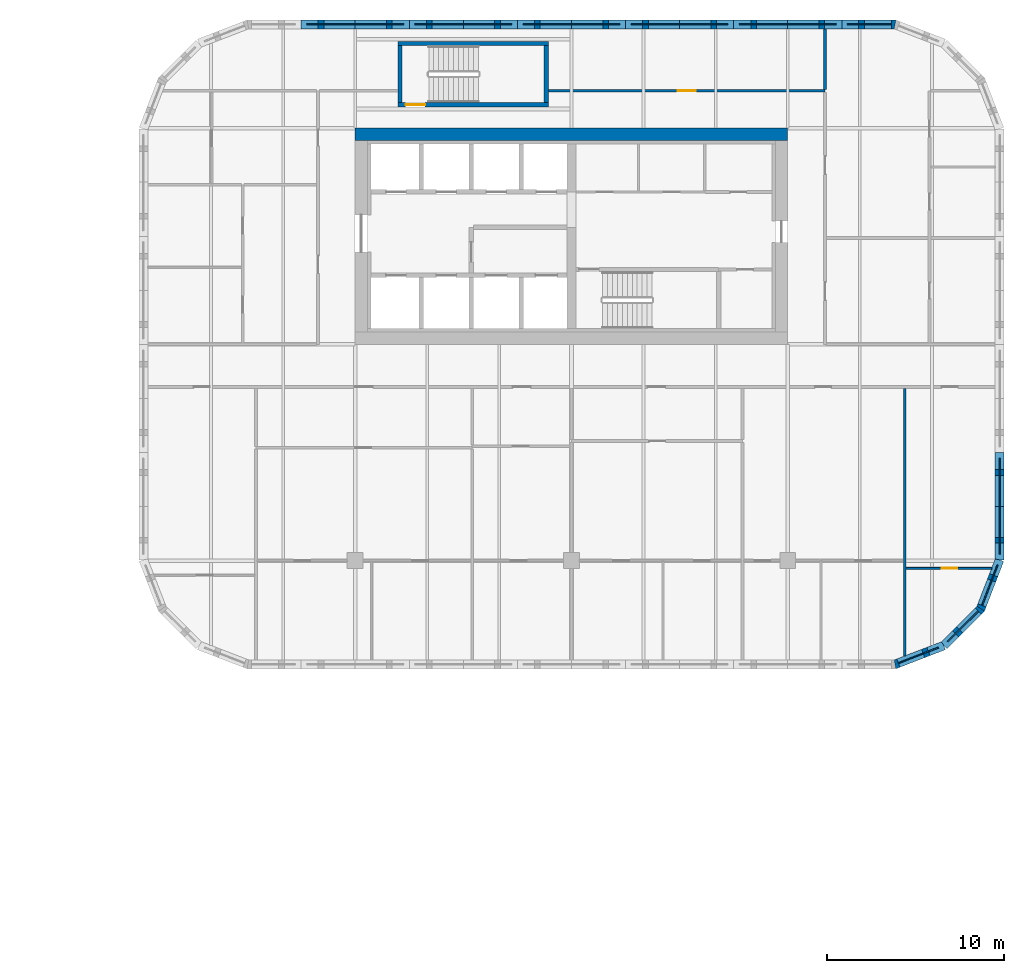
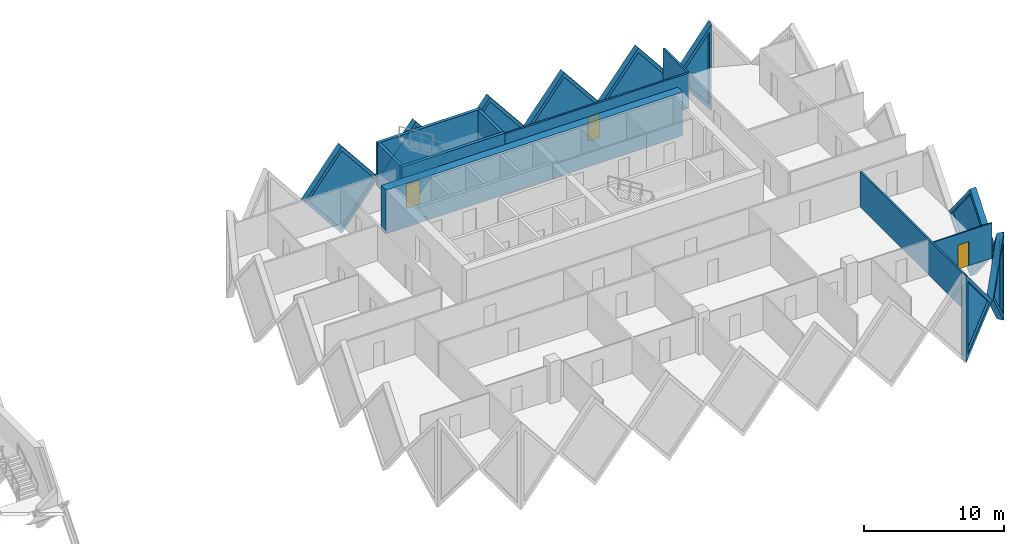
# One storey, part 15 of 19: 19 walls, 10 plates, 3 doors, 13 openings.
"""IFC4 building model written with IfcOpenShell, lengths in metres."""

import ifcopenshell
import ifcopenshell.guid

model = None  # the IFC model being written
_history = None  # IfcOwnerHistory: only IFC2X3 demands one
_inside = {}  # id of a spatial element -> (the spatial element, [elements in it])
_under = {}  # id of a project, library or spatial element -> (it, [spatial elements below it])
_declared = {}  # id of a project -> (the project, [libraries it declares])
_typed = {}  # id of a type object -> (the type object, [elements of that type])
_made_of = {}  # id of a material, layer set ... -> (it, [elements and type objects made of it])


def new_model(schema):
    """Start an empty IFC model of exactly this schema.

    Asked for "IFC4X3", IfcOpenShell would pick the latest addendum, in which some entities
    have other attributes; the version numbers below select the first issue.
    IFC2X3 requires an IfcOwnerHistory on every rooted entity: one is made here for all.
    """
    global model, _history
    if schema == "IFC4X3":
        model = ifcopenshell.file(schema_version=(4, 3, 0, 0))
    else:
        model = ifcopenshell.file(schema=schema)
    _inside.clear()
    _under.clear()
    _declared.clear()
    _typed.clear()
    _made_of.clear()
    _history = None
    if model.schema == "IFC2X3":
        org = make("IfcOrganization", Name="unknown")
        user = make(
            "IfcPersonAndOrganization",
            ThePerson=make("IfcPerson", FamilyName="unknown"),
            TheOrganization=org,
        )
        app = make(
            "IfcApplication",
            ApplicationDeveloper=org,
            Version="unknown",
            ApplicationFullName="unknown",
            ApplicationIdentifier="unknown",
        )
        _history = make(
            "IfcOwnerHistory",
            OwningUser=user,
            OwningApplication=app,
            ChangeAction="ADDED",
            CreationDate=0,
        )
    return model


def make(cls, **values):
    """One entity of the class cls with the attributes given. An attribute that is None is left unset."""
    return model.create_entity(
        cls, **{name: value for name, value in values.items() if value is not None}
    )


def rooted(cls, **values):
    """An entity with a GlobalId (a new one), such as an element, a storey or a relation."""
    return make(cls, GlobalId=ifcopenshell.guid.new(), OwnerHistory=_history, **values)


def si_unit(unit_type, name, prefix=None):
    """IfcSIUnit, for example si_unit("LENGTHUNIT", "METRE", prefix="MILLI")."""
    return make("IfcSIUnit", UnitType=unit_type, Prefix=prefix, Name=name)


def assignment(units):
    """IfcUnitAssignment: the units of a project."""
    return None if units is None else make("IfcUnitAssignment", Units=units)


def point(xyz):
    """IfcCartesianPoint."""
    return None if xyz is None else make("IfcCartesianPoint", Coordinates=xyz)


def direction(xyz):
    """IfcDirection."""
    return None if xyz is None else make("IfcDirection", DirectionRatios=xyz)


def frame(location, z_axis=None, x_axis=None):
    """IfcAxis2Placement3D, a coordinate frame: its origin and axes. An axis left out is left unset."""
    return make(
        "IfcAxis2Placement3D",
        Location=point(location),
        Axis=direction(z_axis),
        RefDirection=direction(x_axis),
    )


def frame_2d(location, x_axis=None):
    """IfcAxis2Placement2D, a coordinate frame in the plane: its origin and x axis."""
    return make(
        "IfcAxis2Placement2D", Location=point(location), RefDirection=direction(x_axis)
    )


def origin():
    """The frame at (0, 0, 0) with its axes left unset."""
    return frame((0.0, 0.0, 0.0))


def place(relative_to, where):
    """IfcLocalPlacement: puts the frame where relative to a parent placement (None: the world)."""
    return make(
        "IfcLocalPlacement", PlacementRelTo=relative_to, RelativePlacement=where
    )


def context(
    kind, dimensions, precision=None, world=None, true_north=None, identifier=None
):
    """IfcGeometricRepresentationContext, for example the 3D "Model" context."""
    return make(
        "IfcGeometricRepresentationContext",
        ContextIdentifier=identifier,
        ContextType=kind,
        CoordinateSpaceDimension=dimensions,
        Precision=precision,
        WorldCoordinateSystem=world,
        TrueNorth=true_north,
    )


def subcontext(parent, identifier, kind, view, scale=None):
    """IfcGeometricRepresentationSubContext, for example "Body" below "Model"."""
    return make(
        "IfcGeometricRepresentationSubContext",
        ContextIdentifier=identifier,
        ContextType=kind,
        ParentContext=parent,
        TargetScale=scale,
        TargetView=view,
    )


def project(units=None, contexts=None):
    """IfcProject with its units and contexts."""
    return rooted(
        "IfcProject",
        Name="project",
        RepresentationContexts=contexts,
        UnitsInContext=assignment(units),
    )


def spatial(cls, under=None, at=None, **own):
    """A site, building, storey or space (cls), placed at a placement, below another one or the project."""
    s = rooted(cls, ObjectPlacement=at, **own)
    if under is not None:
        _under.setdefault(under.id(), (under, []))[1].append(s)
    return s


def polyline(points):
    """IfcPolyline through the points."""
    return make("IfcPolyline", Points=[point(p) for p in points])


def profile(cls, at=None, kind="AREA", **sizes):
    """A parametric profile (cls). Its sizes go by their IFC names, for example OverallWidth=200.0."""
    return make(cls, ProfileType=kind, Position=at, **sizes)


def rectangle(**sizes):
    """IfcRectangleProfileDef."""
    return profile("IfcRectangleProfileDef", **sizes)


def outline(outer, holes=None, kind="AREA"):
    """IfcArbitraryClosedProfileDef: a profile drawn as a closed curve; with holes, ...WithVoids."""
    if holes is None:
        return make("IfcArbitraryClosedProfileDef", ProfileType=kind, OuterCurve=outer)
    return make(
        "IfcArbitraryProfileDefWithVoids",
        ProfileType=kind,
        OuterCurve=outer,
        InnerCurves=holes,
    )


def extrude(swept, where, along, depth):
    """IfcExtrudedAreaSolid: the profile swept, set in the frame where, extruded along a direction by depth."""
    return make(
        "IfcExtrudedAreaSolid",
        SweptArea=swept,
        Position=where,
        ExtrudedDirection=direction(along),
        Depth=depth,
    )


def faces_of(points, faces, orient=None, outer=None):
    """IfcFace entities. A face is a list of loops; a loop is a list of indices into points, from 0.

    orient and outer hold one flag for each loop. By default every Orientation is true, the
    first loop of a face is its IfcFaceOuterBound and the others are IfcFaceBound.
    """
    made = []
    for i, loops in enumerate(faces):
        bounds = []
        for j, loop in enumerate(loops):
            is_outer = j == 0 if outer is None else outer[i][j]
            bounds.append(
                make(
                    "IfcFaceOuterBound" if is_outer else "IfcFaceBound",
                    Bound=make("IfcPolyLoop", Polygon=[points[k] for k in loop]),
                    Orientation=True if orient is None else orient[i][j],
                )
            )
        made.append(make("IfcFace", Bounds=bounds))
    return made


def faceted_brep(points, faces, orient=None, outer=None, voids=None):
    """IfcFacetedBrep: a solid bounded by flat faces; with voids (closed shells), ...WithVoids."""
    shared = [point(p) for p in points]
    hull = make("IfcClosedShell", CfsFaces=faces_of(shared, faces, orient, outer))
    if voids is None:
        return make("IfcFacetedBrep", Outer=hull)
    return make(
        "IfcFacetedBrepWithVoids",
        Outer=hull,
        Voids=[
            make(cls, CfsFaces=faces_of(shared, fs, o, b)) for cls, fs, o, b in voids
        ],
    )


def shape(context_of_items, identifier, shape_type, items):
    """IfcShapeRepresentation: the items that make up one representation, for example the "Body"."""
    return make(
        "IfcShapeRepresentation",
        ContextOfItems=context_of_items,
        RepresentationIdentifier=identifier,
        RepresentationType=shape_type,
        Items=items,
    )


def source(mapping_origin, context_of_items, identifier, shape_type, items):
    """IfcRepresentationMap: a shape defined once, which mapped items show again and again."""
    return make(
        "IfcRepresentationMap",
        MappingOrigin=mapping_origin,
        MappedRepresentation=shape(context_of_items, identifier, shape_type, items),
    )


def transform(
    local_origin,
    x_axis=None,
    y_axis=None,
    z_axis=None,
    scale=None,
    scale2=None,
    scale3=None,
    uniform=True,
):
    """IfcCartesianTransformationOperator3D, or its non-uniform kind. x_axis, y_axis, z_axis: its Axis1, 2, 3."""
    if uniform:
        return make(
            "IfcCartesianTransformationOperator3D",
            Axis1=direction(x_axis),
            Axis2=direction(y_axis),
            LocalOrigin=point(local_origin),
            Scale=scale,
            Axis3=direction(z_axis),
        )
    return make(
        "IfcCartesianTransformationOperator3DnonUniform",
        Axis1=direction(x_axis),
        Axis2=direction(y_axis),
        LocalOrigin=point(local_origin),
        Scale=scale,
        Axis3=direction(z_axis),
        Scale2=scale2,
        Scale3=scale3,
    )


def mapped(mapping_source, mapping_target):
    """IfcMappedItem: shows the shape of a source again, moved by a transform."""
    return make(
        "IfcMappedItem", MappingSource=mapping_source, MappingTarget=mapping_target
    )


def material(Name=None, Category=None):
    """IfcMaterial."""
    return make("IfcMaterial", Name=Name, Category=Category)


def layer(
    of_material, thickness, ventilated=None, Name=None, Category=None, Priority=None
):
    """IfcMaterialLayer: one layer of a wall or slab, of a material (None: an air gap)."""
    return make(
        "IfcMaterialLayer",
        Material=of_material,
        LayerThickness=thickness,
        IsVentilated=ventilated,
        Name=Name,
        Category=Category,
        Priority=Priority,
    )


def layer_set(layers, Name=None):
    """IfcMaterialLayerSet."""
    return make("IfcMaterialLayerSet", MaterialLayers=layers, LayerSetName=Name)


def made_of(thing, what):
    """Note that an element or type object is made of a material, layer set ...; save() writes the relation."""
    if what is not None:
        _made_of.setdefault(what.id(), (what, []))[1].append(thing)
    return thing


def type_object(cls, material=None, **own):
    """A type object (cls), such as IfcWallType, which elements share."""
    return made_of(rooted(cls, **own), material)


def element(
    cls,
    number,
    at=None,
    inside=None,
    cuts=None,
    type_object=None,
    material=None,
    context=None,
    identifier="Body",
    shape_type=None,
    held_by="IfcProductDefinitionShape",
    body=None,
    shapes=None,
    **own,
):
    """One element of the class cls, such as IfcWall. Its Tag is "e" and its number.

    at: its placement. inside: the storey or other place that contains it. cuts: it is an
    opening in that element (IfcRelVoidsElement). A single representation is given by context,
    identifier, shape_type and body (its items); several are given by shapes. held_by: the class
    of the entity that holds the representations. save() writes the other relations.
    """
    e = rooted(cls, Tag="e%d" % number, ObjectPlacement=at, **own)
    if body is not None:
        shapes = [shape(context, identifier, shape_type, body)]
    if shapes is not None:
        e.Representation = make(held_by, Representations=shapes)
    if inside is not None:
        _inside.setdefault(inside.id(), (inside, []))[1].append(e)
    if cuts is not None:
        rooted(
            "IfcRelVoidsElement", RelatingBuildingElement=cuts, RelatedOpeningElement=e
        )
    if type_object is not None:
        _typed.setdefault(type_object.id(), (type_object, []))[1].append(e)
    return made_of(e, material)


def fill(opening, filler):
    """IfcRelFillsElement: the door or window that sits in an opening."""
    return rooted(
        "IfcRelFillsElement",
        RelatingOpeningElement=opening,
        RelatedBuildingElement=filler,
    )


def aggregate(whole, parts):
    """IfcRelAggregates: a whole, such as a stair, and the parts it consists of."""
    return rooted("IfcRelAggregates", RelatingObject=whole, RelatedObjects=parts)


def save(model, path):
    """Write the relations noted so far, then the file.

    IfcRelAggregates (storeys below a building ...), IfcRelContainedInSpatialStructure (elements
    in a storey), IfcRelDefinesByType, IfcRelAssociatesMaterial and IfcRelDeclares: one each for
    every whole, place, type object, material and project.
    """
    for whole, parts in _under.values():
        aggregate(whole, parts)
    for where, things in _inside.values():
        rooted(
            "IfcRelContainedInSpatialStructure",
            RelatedElements=things,
            RelatingStructure=where,
        )
    for kind, things in _typed.values():
        rooted("IfcRelDefinesByType", RelatedObjects=things, RelatingType=kind)
    for what, things in _made_of.values():
        rooted("IfcRelAssociatesMaterial", RelatedObjects=things, RelatingMaterial=what)
    for by, libraries in _declared.values():
        rooted("IfcRelDeclares", RelatingContext=by, RelatedDefinitions=libraries)
    model.write(path)


model = new_model("IFC4")

# Units and contexts
model_context = context("Model", 3, precision=1e-05, world=origin(), true_north=direction((0.0, 1.0)))
body_context = subcontext(model_context, "Body", "Model", "MODEL_VIEW")
ifc_project = project(units=[si_unit("LENGTHUNIT", "METRE"), si_unit("AREAUNIT", "SQUARE_METRE"), si_unit("VOLUMEUNIT", "CUBIC_METRE"), si_unit("PLANEANGLEUNIT", "RADIAN"), si_unit("MASSUNIT", "GRAM", prefix="KILO")], contexts=[model_context])

# Site, building, storey
site_placement = place(None, origin())
site = spatial("IfcSite", under=ifc_project, at=site_placement, CompositionType="ELEMENT")
building_placement = place(site_placement, origin())
building = spatial("IfcBuilding", under=site, at=building_placement, Name="Tessera Gate Towers", CompositionType="ELEMENT")
storey_placement = place(building_placement, frame((0.0, 0.0, 33.39990234375)))
storey = spatial("IfcBuildingStorey", under=building, at=storey_placement, Name="L07", CompositionType="ELEMENT", Elevation=33.39990234375)

# Wall, opening, door
ifc_material_1 = material(Name="Concrete C40/50", Category="concrete")
ifc_layer_1 = layer(ifc_material_1, 0.25)
ifc_layer_set_1 = layer_set([ifc_layer_1], Name="CORE ENCLOSURE WALL 250")
wall_type_1 = type_object("IfcWallType", Name="CORE ENCLOSURE WALL 250", PredefinedType="SOLIDWALL", material=ifc_layer_set_1)
wall_1_placement = place(storey_placement, frame((108.5, 50.125, 0.0), z_axis=(0.0, 0.0, 1.0), x_axis=(-1.0, 0.0, 0.0)))
wall_1 = element("IfcWall", 1, at=wall_1_placement, inside=storey, type_object=wall_type_1, Name="L07 ST7 enclosure wall", PredefinedType="SOLIDWALL", context=body_context, shape_type="SweptSolid", body=[
    extrude(rectangle(XDim=8.5, YDim=0.25, at=frame_2d((4.25, 0.0))), origin(), (0.0, 0.0, 1.0), 3.800048828125),
])
shared_shape_1 = source(origin(), body_context, "Body", "SweptSolid", [
    extrude(rectangle(XDim=1.10009765625, YDim=2.10009765625, at=frame_2d((0.550048828125, 1.050048828125))), frame((0.0, 0.135009765625, 0.0), z_axis=(0.0, -1.0, 0.0), x_axis=(1.0, 0.0, 0.0)), (0.0, 0.0, 1.0), 0.27001953125),
])
opening_1_placement = place(wall_1_placement, frame((6.949951171875, 0.0, 0.0)))
opening_1 = element("IfcOpeningElement", 2, at=opening_1_placement, cuts=wall_1, Name="Opening SD-ST7-1", PredefinedType="OPENING", context=body_context, shape_type="MappedRepresentation", body=[
    mapped(shared_shape_1, transform((0.0, 0.0, 0.0), scale=1.0)),
])
ifc_material_2 = material(Name="Hollow steel fire door", Category="steel")
door_type_1 = type_object("IfcDoorType", Name="CORE DOOR SD1100 1100x2100", OperationType="NOTDEFINED", PredefinedType="DOOR", material=ifc_material_2)
shared_shape_2 = source(origin(), body_context, "Body", "SweptSolid", [
    extrude(rectangle(XDim=1.10009765625, YDim=2.10009765625, at=frame_2d((0.550048828125, 1.050048828125))), frame((0.0, 0.02490234375, 0.0), z_axis=(0.0, -1.0, 0.0), x_axis=(1.0, 0.0, 0.0)), (0.0, 0.0, 1.0), 0.050048828125),
])
door_1_placement = place(opening_1_placement, origin())
door_1 = element("IfcDoor", 3, at=door_1_placement, inside=storey, type_object=door_type_1, Name="Stair door", OperationType="SINGLE_SWING_RIGHT", OverallHeight=2.10009765625, OverallWidth=1.10009765625, PredefinedType="DOOR", context=body_context, shape_type="MappedRepresentation", body=[
    mapped(shared_shape_2, transform((0.0, 0.0, 0.0), scale=1.0)),
])
fill(opening_1, door_1)

# Walls
wall_2_placement = place(storey_placement, frame((100.125, 50.25, 0.0), z_axis=(0.0, 0.0, 1.0), x_axis=(0.0, 1.0, 0.0)))
element("IfcWall", 4, at=wall_2_placement, inside=storey, type_object=wall_type_1, Name="L07 ST7 enclosure wall", PredefinedType="SOLIDWALL", context=body_context, shape_type="SweptSolid", body=[
    extrude(rectangle(XDim=3.199951171875, YDim=0.25, at=frame_2d((1.60009765625, 0.0))), origin(), (0.0, 0.0, 1.0), 3.800048828125),
])
wall_3_placement = place(storey_placement, frame((100.0, 53.574951171875, 0.0), z_axis=(0.0, 0.0, 1.0), x_axis=(1.0, 0.0, 0.0)))
element("IfcWall", 5, at=wall_3_placement, inside=storey, type_object=wall_type_1, Name="L07 ST7 enclosure wall", PredefinedType="SOLIDWALL", context=body_context, shape_type="SweptSolid", body=[
    extrude(rectangle(XDim=8.5, YDim=0.25, at=frame_2d((4.25, 0.0))), origin(), (0.0, 0.0, 1.0), 3.800048828125),
])
wall_4_placement = place(storey_placement, frame((108.375, 53.449951171875, 0.0), z_axis=(0.0, 0.0, 1.0), x_axis=(0.0, -1.0, 0.0)))
element("IfcWall", 6, at=wall_4_placement, inside=storey, type_object=wall_type_1, Name="L07 ST7 enclosure wall", PredefinedType="SOLIDWALL", context=body_context, shape_type="SweptSolid", body=[
    extrude(rectangle(XDim=3.199951171875, YDim=0.25, at=frame_2d((1.60009765625, 0.0))), origin(), (0.0, 0.0, 1.0), 3.800048828125),
])
ifc_material_3 = material(Name="Concrete C60/75", Category="concrete")
ifc_layer_2 = layer(ifc_material_3, 0.699951171875)
ifc_layer_set_2 = layer_set([ifc_layer_2], Name="CORE SHEAR WALL 700 C60/75")
wall_type_2 = type_object("IfcWallType", Name="CORE SHEAR WALL 700 C60/75", PredefinedType="SHEAR", material=ifc_layer_set_2)
wall_5_placement = place(storey_placement, frame((97.60009765625, 48.449951171875, 0.0), z_axis=(0.0, 0.0, 1.0), x_axis=(1.0, 0.0, 0.0)))
element("IfcWall", 7, at=wall_5_placement, inside=storey, type_object=wall_type_2, Name="Core wall N L07", PredefinedType="SHEAR", context=body_context, shape_type="SweptSolid", body=[
    extrude(rectangle(XDim=24.39990234375, YDim=0.699951171875, at=frame_2d((12.199951171875, 0.0))), origin(), (0.0, 0.0, 1.0), 3.800048828125),
])

# Wall, opening, door
ifc_material_4 = material(Name="Gypsum board on steel studs, mineral wool", Category="steel")
ifc_layer_3 = layer(ifc_material_4, 0.14990234375)
ifc_layer_set_3 = layer_set([ifc_layer_3], Name="CORRIDOR WALL 150")
wall_type_3 = type_object("IfcWallType", Name="CORRIDOR WALL 150", PredefinedType="PARTITIONING", material=ifc_layer_set_3)
wall_6_placement = place(storey_placement, frame((108.5, 50.89990234375, 0.0), z_axis=(0.0, 0.0, 1.0), x_axis=(1.0, 0.0, 0.0)))
wall_6 = element("IfcWall", 8, at=wall_6_placement, inside=storey, type_object=wall_type_3, Name="T2-L07-PW-043", PredefinedType="PARTITIONING", context=body_context, shape_type="SweptSolid", body=[
    extrude(rectangle(XDim=15.60009765625, YDim=0.14990234375, at=frame_2d((7.800048828125, 0.0))), origin(), (0.0, 0.0, 1.0), 3.067138671875),
])
shared_shape_3 = source(origin(), body_context, "Body", "SweptSolid", [
    extrude(rectangle(XDim=1.0, YDim=2.10009765625, at=frame_2d((0.5, 1.050048828125))), frame((0.0, 0.0849609375, 0.0), z_axis=(0.0, -1.0, 0.0), x_axis=(1.0, 0.0, 0.0)), (0.0, 0.0, 1.0), 0.169921875),
])
opening_2_placement = place(wall_6_placement, frame((7.300048828125, 0.0, 0.0)))
opening_2 = element("IfcOpeningElement", 9, at=opening_2_placement, cuts=wall_6, Name="Opening D2100FD60-B03-07", PredefinedType="OPENING", context=body_context, shape_type="MappedRepresentation", body=[
    mapped(shared_shape_3, transform((0.0, 0.0, 0.0), scale=1.0)),
])
ifc_material_5 = material(Name="Timber door leaf in steel frame", Category="steel")
door_type_2 = type_object("IfcDoorType", Name="TENANCY ENTRANCE DOOR 1000 FD60", OperationType="NOTDEFINED", PredefinedType="DOOR", material=ifc_material_5)
shared_shape_4 = source(origin(), body_context, "Body", "SweptSolid", [
    extrude(rectangle(XDim=1.0, YDim=2.10009765625, at=frame_2d((0.5, 1.050048828125))), frame((0.0, 0.02490234375, 0.0), z_axis=(0.0, -1.0, 0.0), x_axis=(1.0, 0.0, 0.0)), (0.0, 0.0, 1.0), 0.050048828125),
])
door_2_placement = place(opening_2_placement, origin())
door_2 = element("IfcDoor", 10, at=door_2_placement, inside=storey, type_object=door_type_2, Name="T2-L07-PD-029", OperationType="SINGLE_SWING_LEFT", OverallHeight=2.10009765625, OverallWidth=1.0, PredefinedType="DOOR", context=body_context, shape_type="MappedRepresentation", body=[
    mapped(shared_shape_4, transform((0.0, 0.0, 0.0), scale=1.0)),
])
fill(opening_2, door_2)

ifc_material_6 = material(Name="Glass", Category="glass")
ifc_layer_4 = layer(ifc_material_6, 0.10009765625)
ifc_layer_set_4 = layer_set([ifc_layer_4], Name="GLAZED PARTITION 100")
wall_type_4 = type_object("IfcWallType", Name="GLAZED PARTITION 100", PredefinedType="PARTITIONING", material=ifc_layer_set_4)
wall_7_placement = place(storey_placement, frame((133.496337890625, 23.965087890625, 0.0), z_axis=(0.0, 0.0, 1.0), x_axis=(-1.0, 0.0, 0.0)))
wall_7 = element("IfcWall", 11, at=wall_7_placement, inside=storey, type_object=wall_type_4, Name="T2-L07-PW-010", PredefinedType="PARTITIONING", context=body_context, shape_type="SweptSolid", body=[
    extrude(rectangle(XDim=4.8203125, YDim=0.10009765625, at=frame_2d((2.41015625, 0.0))), origin(), (0.0, 0.0, 1.0), 3.067138671875),
])
shared_shape_5 = source(origin(), body_context, "Body", "SweptSolid", [
    extrude(rectangle(XDim=0.89990234375, YDim=2.10009765625, at=frame_2d((0.449951171875, 1.050048828125))), frame((0.0, 0.06005859375, 0.0), z_axis=(0.0, -1.0, 0.0), x_axis=(1.0, 0.0, 0.0)), (0.0, 0.0, 1.0), 0.1201171875),
])
opening_3_placement = place(wall_7_placement, frame((1.92041015625, 0.0, 0.0)))
opening_3 = element("IfcOpeningElement", 12, at=opening_3_placement, cuts=wall_7, Name="Opening D690-B03-01", PredefinedType="OPENING", context=body_context, shape_type="MappedRepresentation", body=[
    mapped(shared_shape_5, transform((0.0, 0.0, 0.0), scale=1.0)),
])
ifc_material_7 = material(Name="Glass in aluminium frame", Category="aluminium")
door_type_3 = type_object("IfcDoorType", Name="GLAZED DOOR 900 NOT RATED", OperationType="NOTDEFINED", PredefinedType="DOOR", material=ifc_material_7)
shared_shape_6 = source(origin(), body_context, "Body", "SweptSolid", [
    extrude(rectangle(XDim=0.89990234375, YDim=2.10009765625, at=frame_2d((0.449951171875, 1.050048828125))), frame((0.0, 0.02490234375, 0.0), z_axis=(0.0, -1.0, 0.0), x_axis=(1.0, 0.0, 0.0)), (0.0, 0.0, 1.0), 0.050048828125),
])
door_3_placement = place(opening_3_placement, origin())
door_3 = element("IfcDoor", 13, at=door_3_placement, inside=storey, type_object=door_type_3, Name="T2-L07-PD-008", OperationType="SINGLE_SWING_RIGHT", OverallHeight=2.10009765625, OverallWidth=0.89990234375, PredefinedType="DOOR", context=body_context, shape_type="MappedRepresentation", body=[
    mapped(shared_shape_6, transform((0.0, 0.0, 0.0), scale=1.0)),
])
fill(opening_3, door_3)

# Walls
ifc_material_8 = material(Name="Gypsum board on steel studs, mineral wool", Category="steel")
ifc_layer_5 = layer(ifc_material_8, 0.14990234375)
ifc_layer_set_5 = layer_set([ifc_layer_5], Name="TENANCY WALL 150")
wall_type_5 = type_object("IfcWallType", Name="TENANCY WALL 150", PredefinedType="PARTITIONING", material=ifc_layer_set_5)
wall_8_placement = place(storey_placement, frame((128.60009765625, 19.02880859375, 0.0), z_axis=(0.0, 0.0, 1.0), x_axis=(0.0, 1.0, 0.0)))
element("IfcWall", 14, at=wall_8_placement, inside=storey, type_object=wall_type_5, Name="T2-L07-PW-008", PredefinedType="PARTITIONING", context=body_context, shape_type="SweptSolid", body=[
    extrude(rectangle(XDim=15.09521484375, YDim=0.14990234375, at=frame_2d((7.547607421875, 0.0))), origin(), (0.0, 0.0, 1.0), 3.067138671875),
])
wall_9_placement = place(storey_placement, frame((124.10009765625, 50.97607421875, 0.0), z_axis=(0.0, 0.0, 1.0), x_axis=(0.0, 1.0, 0.0)))
element("IfcWall", 15, at=wall_9_placement, inside=storey, type_object=wall_type_5, Name="T2-L07-PW-045", PredefinedType="PARTITIONING", context=body_context, shape_type="SweptSolid", body=[
    extrude(rectangle(XDim=3.423828125, YDim=0.14990234375, at=frame_2d((1.7119140625, 0.0))), origin(), (0.0, 0.0, 1.0), 3.067138671875),
])

# Wall, opening, plate
ifc_material_9 = material(Name="Precast concrete C60/75 white", Category="concrete")
ifc_layer_6 = layer(ifc_material_9, 0.5)
ifc_layer_set_6 = layer_set([ifc_layer_6], Name="TS3 corner tessera")
wall_type_6 = type_object("IfcWallType", Name="TS3 corner tessera", PredefinedType="SOLIDWALL", material=ifc_layer_set_6)
shared_shape_7 = source(origin(), body_context, "Body", "Brep", [
    faceted_brep([(0.046630859375, -0.25, 0.0), (3.050048828125, -0.25, 3.7998046875), (0.046630859375, -0.25, 7.599853515625), (0.0, -0.25, 7.539794921875), (0.0, -0.25, 0.06005859375), (0.09326171875, 0.25, 7.541015625), (3.050048828125, 0.25, 3.7998046875), (0.09326171875, 0.25, 0.058837890625), (0.046630859375, 0.0, 0.0), (0.046630859375, 0.0, 7.599853515625)], [[[0, 1, 2, 3, 4]], [[5, 6, 7]], [[7, 6, 1, 0, 8]], [[6, 5, 9, 2, 1]], [[3, 2, 9]], [[8, 0, 4]], [[7, 8, 4, 3, 9, 5]]]),
])
wall_10_placement = place(storey_placement, frame((128.10009765625, 54.64990234375, -3.7998046875), z_axis=(0.0, 0.0, 1.0), x_axis=(-1.0, 0.0, 0.0)))
wall_10 = element("IfcWall", 16, at=wall_10_placement, inside=storey, type_object=wall_type_6, Name="Precast corner tessera T2 TS3-0090", PredefinedType="SOLIDWALL", context=body_context, shape_type="MappedRepresentation", body=[
    mapped(shared_shape_7, transform((0.0, 0.0, 0.0), scale=1.0)),
])
shared_shape_8 = source(origin(), body_context, "Body", "SweptSolid", [
    extrude(outline(polyline([(0.24658203125, 0.656005859375), (2.7314453125, 3.7998046875), (0.24658203125, 6.943603515625), (0.24658203125, 0.656005859375)])), frame((0.0, 0.260009765625, 0.0), z_axis=(0.0, -1.0, 0.0), x_axis=(1.0, 0.0, 0.0)), (0.0, 0.0, 1.0), 0.52001953125),
])
opening_4_placement = place(wall_10_placement, origin())
opening_4 = element("IfcOpeningElement", 17, at=opening_4_placement, cuts=wall_10, Name="Opening T2-PL2-0086", PredefinedType="OPENING", context=body_context, shape_type="MappedRepresentation", body=[
    mapped(shared_shape_8, transform((0.0, 0.0, 0.0), scale=1.0)),
])
ifc_material_10 = material(Name="Low-e laminated glass", Category="glass")
ifc_layer_7 = layer(ifc_material_10, 0.06005859375)
ifc_layer_set_7 = layer_set([ifc_layer_7], Name="PL2 rhombic pane")
plate_type = type_object("IfcPlateType", Name="PL2 rhombic pane", PredefinedType="SHEET", material=ifc_layer_set_7)
shared_shape_9 = source(origin(), body_context, "Body", "SweptSolid", [
    extrude(outline(polyline([(0.24658203125, 0.656005859375), (2.7314453125, 3.7998046875), (0.24658203125, 6.943603515625), (0.24658203125, 0.656005859375)])), frame((0.0, 0.030029296875, 0.0), z_axis=(0.0, -1.0, 0.0), x_axis=(1.0, 0.0, 0.0)), (0.0, 0.0, 1.0), 0.06005859375),
])
plate_1_placement = place(opening_4_placement, origin())
plate_1 = element("IfcPlate", 18, at=plate_1_placement, inside=storey, type_object=plate_type, Name="Glass pane T2 PL2-0086", PredefinedType="SHEET", context=body_context, shape_type="MappedRepresentation", body=[
    mapped(shared_shape_9, transform((0.0, 0.0, 0.0), scale=1.0)),
])
fill(opening_4, plate_1)

ifc_material_11 = material(Name="Precast concrete C60/75 white", Category="concrete")
ifc_layer_8 = layer(ifc_material_11, 0.5)
ifc_layer_set_8 = layer_set([ifc_layer_8], Name="TS1 tessera")
wall_type_7 = type_object("IfcWallType", Name="TS1 tessera", PredefinedType="SOLIDWALL", material=ifc_layer_set_8)
shared_shape_10 = source(origin(), body_context, "Body", "Brep", [
    faceted_brep([(3.050048828125, -0.25, 0.0), (6.099853515625, -0.25, 3.799560546875), (6.099853515625, -0.25, 3.800048828125), (3.050048828125, -0.25, 7.599853515625), (0.0, -0.25, 3.7998046875), (0.0, 0.25, 3.7998046875), (3.050048828125, 0.25, 7.599853515625), (6.099853515625, 0.25, 3.800048828125), (6.099853515625, 0.25, 3.799560546875), (3.050048828125, 0.25, 0.0)], [[[0, 1, 2, 3, 4]], [[5, 6, 7, 8, 9]], [[9, 8, 1, 0]], [[7, 6, 3, 2]], [[6, 5, 4, 3]], [[5, 9, 0, 4]], [[1, 8, 7, 2]]]),
])
wall_11_placement = place(storey_placement, frame((118.949951171875, 54.64990234375, -3.7998046875), z_axis=(0.0, 0.0, 1.0), x_axis=(-1.0, 0.0, 0.0)))
wall_11 = element("IfcWall", 19, at=wall_11_placement, inside=storey, type_object=wall_type_7, Name="Precast tessera T2 TS1-0046", PredefinedType="SOLIDWALL", context=body_context, shape_type="MappedRepresentation", body=[
    mapped(shared_shape_10, transform((0.0, 0.0, 0.0), scale=1.0)),
])
shared_shape_11 = source(origin(), body_context, "Body", "SweptSolid", [
    extrude(outline(polyline([(3.050048828125, 0.3994140625), (5.779541015625, 3.7998046875), (3.050048828125, 7.200439453125), (0.320556640625, 3.7998046875), (3.050048828125, 0.3994140625)])), frame((0.0, 0.260009765625, 0.0), z_axis=(0.0, -1.0, 0.0), x_axis=(1.0, 0.0, 0.0)), (0.0, 0.0, 1.0), 0.52001953125),
])
opening_5_placement = place(wall_11_placement, origin())
opening_5 = element("IfcOpeningElement", 20, at=opening_5_placement, cuts=wall_11, Name="Opening T2-PL2-0088", PredefinedType="OPENING", context=body_context, shape_type="MappedRepresentation", body=[
    mapped(shared_shape_11, transform((0.0, 0.0, 0.0), scale=1.0)),
])
shared_shape_12 = source(origin(), body_context, "Body", "SweptSolid", [
    extrude(outline(polyline([(3.050048828125, 0.3994140625), (5.779541015625, 3.7998046875), (3.050048828125, 7.200439453125), (0.320556640625, 3.7998046875), (3.050048828125, 0.3994140625)])), frame((0.0, 0.030029296875, 0.0), z_axis=(0.0, -1.0, 0.0), x_axis=(1.0, 0.0, 0.0)), (0.0, 0.0, 1.0), 0.06005859375),
])
plate_2_placement = place(opening_5_placement, origin())
plate_2 = element("IfcPlate", 21, at=plate_2_placement, inside=storey, type_object=plate_type, Name="Glass pane T2 PL2-0088", PredefinedType="SHEET", context=body_context, shape_type="MappedRepresentation", body=[
    mapped(shared_shape_12, transform((0.0, 0.0, 0.0), scale=1.0)),
])
fill(opening_5, plate_2)

wall_12_placement = place(storey_placement, frame((100.64990234375, 54.64990234375, -3.7998046875), z_axis=(0.0, 0.0, 1.0), x_axis=(-1.0, 0.0, 0.0)))
wall_12 = element("IfcWall", 22, at=wall_12_placement, inside=storey, type_object=wall_type_7, Name="Precast tessera T2 TS1-0049", PredefinedType="SOLIDWALL", context=body_context, shape_type="MappedRepresentation", body=[
    mapped(shared_shape_10, transform((0.0, 0.0, 0.0), scale=1.0)),
])
opening_6_placement = place(wall_12_placement, origin())
opening_6 = element("IfcOpeningElement", 23, at=opening_6_placement, cuts=wall_12, Name="Opening T2-PL2-0091", PredefinedType="OPENING", context=body_context, shape_type="MappedRepresentation", body=[
    mapped(shared_shape_11, transform((0.0, 0.0, 0.0), scale=1.0)),
])
plate_3_placement = place(opening_6_placement, origin())
plate_3 = element("IfcPlate", 24, at=plate_3_placement, inside=storey, type_object=plate_type, Name="Glass pane T2 PL2-0091", PredefinedType="SHEET", context=body_context, shape_type="MappedRepresentation", body=[
    mapped(shared_shape_12, transform((0.0, 0.0, 0.0), scale=1.0)),
])
fill(opening_6, plate_3)

shared_shape_13 = source(origin(), body_context, "Body", "SweptSolid", [
    extrude(outline(polyline([(3.050048828125, 0.0), (6.10009765625, 3.7998046875), (3.050048828125, 7.599853515625), (0.0, 3.7998046875), (3.050048828125, 0.0)])), frame((0.0, 0.25, 0.0), z_axis=(0.0, -1.0, 0.0), x_axis=(1.0, 0.0, 0.0)), (0.0, 0.0, 1.0), 0.5),
])
wall_13_placement = place(storey_placement, frame((125.050048828125, 54.64990234375, -3.7998046875), z_axis=(0.0, 0.0, 1.0), x_axis=(-1.0, 0.0, 0.0)))
wall_13 = element("IfcWall", 25, at=wall_13_placement, inside=storey, type_object=wall_type_7, Name="Precast tessera T2 TS1-0045", PredefinedType="SOLIDWALL", context=body_context, shape_type="MappedRepresentation", body=[
    mapped(shared_shape_13, transform((0.0, 0.0, 0.0), scale=1.0)),
])
opening_7_placement = place(wall_13_placement, origin())
opening_7 = element("IfcOpeningElement", 26, at=opening_7_placement, cuts=wall_13, Name="Opening T2-PL2-0087", PredefinedType="OPENING", context=body_context, shape_type="MappedRepresentation", body=[
    mapped(shared_shape_11, transform((0.0, 0.0, 0.0), scale=1.0)),
])
plate_4_placement = place(opening_7_placement, origin())
plate_4 = element("IfcPlate", 27, at=plate_4_placement, inside=storey, type_object=plate_type, Name="Glass pane T2 PL2-0087", PredefinedType="SHEET", context=body_context, shape_type="MappedRepresentation", body=[
    mapped(shared_shape_12, transform((0.0, 0.0, 0.0), scale=1.0)),
])
fill(opening_7, plate_4)

wall_14_placement = place(storey_placement, frame((112.85009765625, 54.64990234375, -3.7998046875), z_axis=(0.0, 0.0, 1.0), x_axis=(-1.0, 0.0, 0.0)))
wall_14 = element("IfcWall", 28, at=wall_14_placement, inside=storey, type_object=wall_type_7, Name="Precast tessera T2 TS1-0047", PredefinedType="SOLIDWALL", context=body_context, shape_type="MappedRepresentation", body=[
    mapped(shared_shape_13, transform((0.0, 0.0, 0.0), scale=1.0)),
])
opening_8_placement = place(wall_14_placement, origin())
opening_8 = element("IfcOpeningElement", 29, at=opening_8_placement, cuts=wall_14, Name="Opening T2-PL2-0089", PredefinedType="OPENING", context=body_context, shape_type="MappedRepresentation", body=[
    mapped(shared_shape_11, transform((0.0, 0.0, 0.0), scale=1.0)),
])
plate_5_placement = place(opening_8_placement, origin())
plate_5 = element("IfcPlate", 30, at=plate_5_placement, inside=storey, type_object=plate_type, Name="Glass pane T2 PL2-0089", PredefinedType="SHEET", context=body_context, shape_type="MappedRepresentation", body=[
    mapped(shared_shape_12, transform((0.0, 0.0, 0.0), scale=1.0)),
])
fill(opening_8, plate_5)

wall_15_placement = place(storey_placement, frame((106.75, 54.64990234375, -3.7998046875), z_axis=(0.0, 0.0, 1.0), x_axis=(-1.0, 0.0, 0.0)))
wall_15 = element("IfcWall", 31, at=wall_15_placement, inside=storey, type_object=wall_type_7, Name="Precast tessera T2 TS1-0048", PredefinedType="SOLIDWALL", context=body_context, shape_type="MappedRepresentation", body=[
    mapped(shared_shape_13, transform((0.0, 0.0, 0.0), scale=1.0)),
])
opening_9_placement = place(wall_15_placement, origin())
opening_9 = element("IfcOpeningElement", 32, at=opening_9_placement, cuts=wall_15, Name="Opening T2-PL2-0090", PredefinedType="OPENING", context=body_context, shape_type="MappedRepresentation", body=[
    mapped(shared_shape_11, transform((0.0, 0.0, 0.0), scale=1.0)),
])
plate_6_placement = place(opening_9_placement, origin())
plate_6 = element("IfcPlate", 33, at=plate_6_placement, inside=storey, type_object=plate_type, Name="Glass pane T2 PL2-0090", PredefinedType="SHEET", context=body_context, shape_type="MappedRepresentation", body=[
    mapped(shared_shape_12, transform((0.0, 0.0, 0.0), scale=1.0)),
])
fill(opening_9, plate_6)

shared_shape_14 = source(origin(), body_context, "Body", "Brep", [
    faceted_brep([(0.046630859375, -0.25, 0.0), (2.9970703125, -0.25, 3.7998046875), (0.046630859375, -0.25, 7.599853515625), (0.0, -0.25, 7.541015625), (0.0, -0.25, 0.058837890625), (0.09326171875, 0.25, 7.539794921875), (2.9443359375, 0.25, 3.867919921875), (2.9443359375, 0.25, 3.731689453125), (0.09326171875, 0.25, 0.06005859375), (2.9970703125, 0.00048828125, 3.7998046875), (0.046630859375, 0.0, 0.0), (0.046630859375, 0.0, 7.599853515625)], [[[0, 1, 2, 3, 4]], [[5, 6, 7, 8]], [[8, 7, 9, 1, 0, 10]], [[6, 5, 11, 2, 1, 9]], [[3, 2, 11]], [[10, 0, 4]], [[8, 10, 4, 3, 11, 5]], [[9, 7, 6]]]),
])
wall_16_placement = place(storey_placement, frame((128.010009765625, 18.533203125, -3.7998046875), z_axis=(0.0, 0.0, 1.0), x_axis=(0.932990326376, 0.359901446078, 0.0)))
wall_16 = element("IfcWall", 34, at=wall_16_placement, inside=storey, type_object=wall_type_6, Name="Precast corner tessera T2 TS3-0084", PredefinedType="SOLIDWALL", context=body_context, shape_type="MappedRepresentation", body=[
    mapped(shared_shape_14, transform((0.0, 0.0, 0.0), scale=1.0)),
])
shared_shape_15 = source(origin(), body_context, "Body", "SweptSolid", [
    extrude(outline(polyline([(0.24658203125, 0.6650390625), (2.6806640625, 3.7998046875), (0.24658203125, 6.9345703125), (0.24658203125, 0.6650390625)])), frame((0.0, 0.260009765625, 0.0), z_axis=(0.0, -1.0, 0.0), x_axis=(1.0, 0.0, 0.0)), (0.0, 0.0, 1.0), 0.52001953125),
])
opening_10_placement = place(wall_16_placement, origin())
opening_10 = element("IfcOpeningElement", 35, at=opening_10_placement, cuts=wall_16, Name="Opening T2-PL2-0076", PredefinedType="OPENING", context=body_context, shape_type="MappedRepresentation", body=[
    mapped(shared_shape_15, transform((0.0, 0.0, 0.0), scale=1.0)),
])
shared_shape_16 = source(origin(), body_context, "Body", "SweptSolid", [
    extrude(outline(polyline([(0.24658203125, 0.6650390625), (2.6806640625, 3.7998046875), (0.24658203125, 6.9345703125), (0.24658203125, 0.6650390625)])), frame((0.0, 0.030029296875, 0.0), z_axis=(0.0, -1.0, 0.0), x_axis=(1.0, 0.0, 0.0)), (0.0, 0.0, 1.0), 0.06005859375),
])
plate_7_placement = place(opening_10_placement, origin())
plate_7 = element("IfcPlate", 36, at=plate_7_placement, inside=storey, type_object=plate_type, Name="Glass pane T2 PL2-0076", PredefinedType="SHEET", context=body_context, shape_type="MappedRepresentation", body=[
    mapped(shared_shape_16, transform((0.0, 0.0, 0.0), scale=1.0)),
])
fill(opening_10, plate_7)

shared_shape_17 = source(origin(), body_context, "Body", "Brep", [
    faceted_brep([(3.00341796875, -0.25, 0.0), (6.053466796875, -0.25, 3.7998046875), (3.00341796875, -0.25, 7.599853515625), (0.0, -0.25, 3.7998046875), (0.046630859375, 0.25, 3.858642578125), (3.00341796875, 0.25, 7.599853515625), (6.053466796875, 0.25, 3.7998046875), (3.00341796875, 0.25, 0.0), (0.046630859375, 0.25, 3.740966796875), (0.0, 0.0, 3.7998046875)], [[[0, 1, 2, 3]], [[4, 5, 6, 7, 8]], [[7, 6, 1, 0]], [[6, 5, 2, 1]], [[5, 4, 9, 3, 2]], [[8, 7, 0, 3, 9]], [[8, 9, 4]]]),
])
wall_17_placement = place(storey_placement, frame((133.949951171875, 24.446533203125, -3.7998046875), z_axis=(0.0, 0.0, 1.0), x_axis=(0.0, 1.0, 0.0)))
wall_17 = element("IfcWall", 37, at=wall_17_placement, inside=storey, type_object=wall_type_7, Name="Precast tessera T2 TS1-0041", PredefinedType="SOLIDWALL", context=body_context, shape_type="MappedRepresentation", body=[
    mapped(shared_shape_17, transform((0.0, 0.0, 0.0), scale=1.0)),
])
shared_shape_18 = source(origin(), body_context, "Body", "SweptSolid", [
    extrude(outline(polyline([(3.0048828125, 0.401123046875), (5.73291015625, 3.7998046875), (3.0048828125, 7.19873046875), (0.318603515625, 3.7998046875), (3.0048828125, 0.401123046875)])), frame((0.0, 0.260009765625, 0.0), z_axis=(0.0, -1.0, 0.0), x_axis=(1.0, 0.0, 0.0)), (0.0, 0.0, 1.0), 0.52001953125),
])
opening_11_placement = place(wall_17_placement, origin())
opening_11 = element("IfcOpeningElement", 38, at=opening_11_placement, cuts=wall_17, Name="Opening T2-PL2-0079", PredefinedType="OPENING", context=body_context, shape_type="MappedRepresentation", body=[
    mapped(shared_shape_18, transform((0.0, 0.0, 0.0), scale=1.0)),
])
shared_shape_19 = source(origin(), body_context, "Body", "SweptSolid", [
    extrude(outline(polyline([(3.0048828125, 0.401123046875), (5.73291015625, 3.7998046875), (3.0048828125, 7.19873046875), (0.318603515625, 3.7998046875), (3.0048828125, 0.401123046875)])), frame((0.0, 0.030029296875, 0.0), z_axis=(0.0, -1.0, 0.0), x_axis=(1.0, 0.0, 0.0)), (0.0, 0.0, 1.0), 0.06005859375),
])
plate_8_placement = place(opening_11_placement, origin())
plate_8 = element("IfcPlate", 39, at=plate_8_placement, inside=storey, type_object=plate_type, Name="Glass pane T2 PL2-0079", PredefinedType="SHEET", context=body_context, shape_type="MappedRepresentation", body=[
    mapped(shared_shape_19, transform((0.0, 0.0, 0.0), scale=1.0)),
])
fill(opening_11, plate_8)

shared_shape_20 = source(origin(), body_context, "Body", "Brep", [
    faceted_brep([(2.944091796875, -0.25, 0.0), (2.9970703125, -0.25, 0.068115234375), (2.9970703125, -0.25, 7.53173828125), (2.944091796875, -0.25, 7.599853515625), (0.0, -0.25, 3.7998046875), (0.052978515625, 0.25, 3.8681640625), (2.89111328125, 0.25, 7.53173828125), (2.89111328125, 0.25, 0.068115234375), (0.052978515625, 0.25, 3.7314453125), (2.944091796875, 0.000244140625, 0.0), (2.944091796875, 0.000244140625, 7.599853515625), (0.0, 0.0, 3.7998046875)], [[[0, 1, 2, 3, 4]], [[5, 6, 7, 8]], [[1, 0, 9]], [[10, 3, 2]], [[6, 5, 11, 4, 3, 10]], [[8, 7, 9, 0, 4, 11]], [[8, 11, 5]], [[1, 9, 7, 6, 10, 2]]]),
])
wall_18_placement = place(storey_placement, frame((130.80615234375, 19.61181640625, -3.7998046875), z_axis=(0.0, 0.0, 1.0), x_axis=(0.707106781187, 0.707106781187, 0.0)))
wall_18 = element("IfcWall", 40, at=wall_18_placement, inside=storey, type_object=wall_type_6, Name="Precast corner tessera T2 TS3-0085", PredefinedType="SOLIDWALL", context=body_context, shape_type="MappedRepresentation", body=[
    mapped(shared_shape_20, transform((0.0, 0.0, 0.0), scale=1.0)),
])
shared_shape_21 = source(origin(), body_context, "Body", "SweptSolid", [
    extrude(outline(polyline([(2.744140625, 6.93359375), (0.316162109375, 3.7998046875), (2.744140625, 0.666259765625), (2.744140625, 6.93359375)])), frame((0.0, 0.260009765625, 0.0), z_axis=(0.0, -1.0, 0.0), x_axis=(1.0, 0.0, 0.0)), (0.0, 0.0, 1.0), 0.52001953125),
])
opening_12_placement = place(wall_18_placement, origin())
opening_12 = element("IfcOpeningElement", 41, at=opening_12_placement, cuts=wall_18, Name="Opening T2-PL2-0077", PredefinedType="OPENING", context=body_context, shape_type="MappedRepresentation", body=[
    mapped(shared_shape_21, transform((0.0, 0.0, 0.0), scale=1.0)),
])
shared_shape_22 = source(origin(), body_context, "Body", "SweptSolid", [
    extrude(outline(polyline([(2.744140625, 6.93359375), (0.316162109375, 3.7998046875), (2.744140625, 0.666259765625), (2.744140625, 6.93359375)])), frame((0.0, 0.030029296875, 0.0), z_axis=(0.0, -1.0, 0.0), x_axis=(1.0, 0.0, 0.0)), (0.0, 0.0, 1.0), 0.06005859375),
])
plate_9_placement = place(opening_12_placement, origin())
plate_9 = element("IfcPlate", 42, at=plate_9_placement, inside=storey, type_object=plate_type, Name="Glass pane T2 PL2-0077", PredefinedType="SHEET", context=body_context, shape_type="MappedRepresentation", body=[
    mapped(shared_shape_22, transform((0.0, 0.0, 0.0), scale=1.0)),
])
fill(opening_12, plate_9)

shared_shape_23 = source(origin(), body_context, "Body", "Brep", [
    faceted_brep([(0.052978515625, -0.25, 0.0), (3.00341796875, -0.25, 3.7998046875), (0.052978515625, -0.25, 7.599853515625), (0.0, -0.25, 7.531494140625), (0.0, -0.25, 0.068359375), (0.10595703125, 0.25, 7.53173828125), (2.95703125, 0.25, 3.859619140625), (2.95703125, 0.25, 3.739990234375), (0.10595703125, 0.25, 0.068115234375), (3.00341796875, 0.00048828125, 3.7998046875), (0.052978515625, 0.0, 0.0), (0.052978515625, 0.0, 7.599853515625)], [[[0, 1, 2, 3, 4]], [[5, 6, 7, 8]], [[8, 7, 9, 1, 0, 10]], [[6, 5, 11, 2, 1, 9]], [[3, 2, 11]], [[10, 0, 4]], [[8, 10, 4, 3, 11, 5]], [[9, 7, 6]]]),
])
wall_19_placement = place(storey_placement, frame((132.869140625, 21.644287109375, -3.7998046875), z_axis=(0.0, 0.0, 1.0), x_axis=(0.359855894603, 0.933007896601, 0.0)))
wall_19 = element("IfcWall", 43, at=wall_19_placement, inside=storey, type_object=wall_type_6, Name="Precast corner tessera T2 TS3-0086", PredefinedType="SOLIDWALL", context=body_context, shape_type="MappedRepresentation", body=[
    mapped(shared_shape_23, transform((0.0, 0.0, 0.0), scale=1.0)),
])
shared_shape_24 = source(origin(), body_context, "Body", "SweptSolid", [
    extrude(outline(polyline([(0.2529296875, 0.6650390625), (2.68701171875, 3.7998046875), (0.2529296875, 6.9345703125), (0.2529296875, 0.6650390625)])), frame((0.0, 0.260009765625, 0.0), z_axis=(0.0, -1.0, 0.0), x_axis=(1.0, 0.0, 0.0)), (0.0, 0.0, 1.0), 0.52001953125),
])
opening_13_placement = place(wall_19_placement, origin())
opening_13 = element("IfcOpeningElement", 44, at=opening_13_placement, cuts=wall_19, Name="Opening T2-PL2-0078", PredefinedType="OPENING", context=body_context, shape_type="MappedRepresentation", body=[
    mapped(shared_shape_24, transform((0.0, 0.0, 0.0), scale=1.0)),
])
shared_shape_25 = source(origin(), body_context, "Body", "SweptSolid", [
    extrude(outline(polyline([(0.2529296875, 0.6650390625), (2.68701171875, 3.7998046875), (0.2529296875, 6.9345703125), (0.2529296875, 0.6650390625)])), frame((0.0, 0.030029296875, 0.0), z_axis=(0.0, -1.0, 0.0), x_axis=(1.0, 0.0, 0.0)), (0.0, 0.0, 1.0), 0.06005859375),
])
plate_10_placement = place(opening_13_placement, origin())
plate_10 = element("IfcPlate", 45, at=plate_10_placement, inside=storey, type_object=plate_type, Name="Glass pane T2 PL2-0078", PredefinedType="SHEET", context=body_context, shape_type="MappedRepresentation", body=[
    mapped(shared_shape_25, transform((0.0, 0.0, 0.0), scale=1.0)),
])
fill(opening_13, plate_10)

save(model, "model.ifc")
